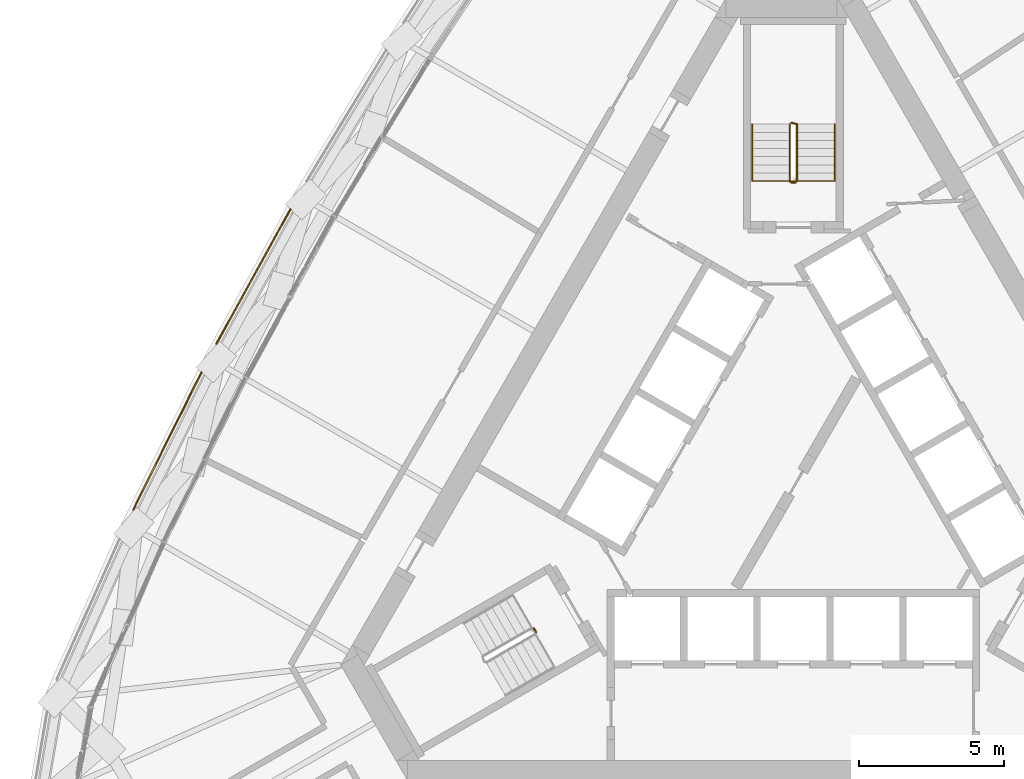
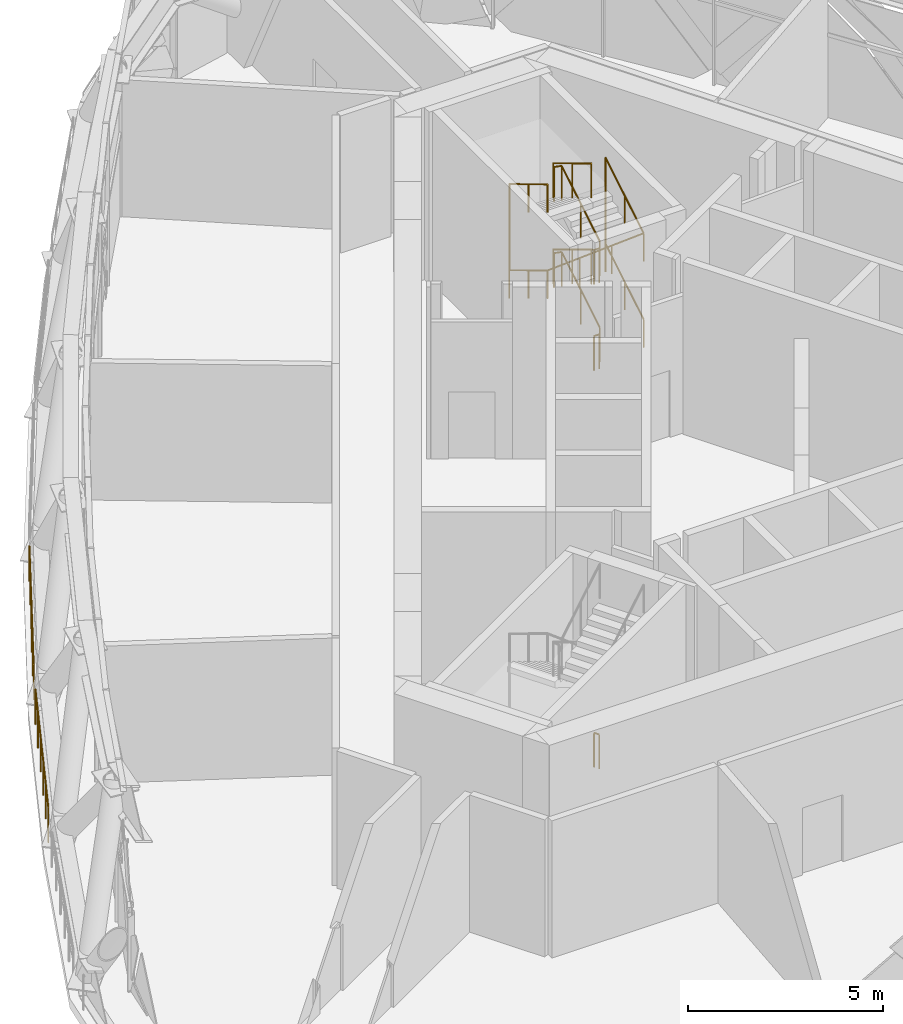
# One storey, part 31 of 33: 9 railings.
"""IFC4 building model written with IfcOpenShell, lengths in metres."""

from ifc_helpers import new_model, si_unit, direction, frame, origin, origin_2d, place, context, subcontext, project, spatial, circle, extrude, material, type_object, element, save


model = new_model("IFC4")

# Units and contexts
model_context = context("Model", 3, precision=1e-05, world=origin(), true_north=direction((0.0, 1.0)))
body_context = subcontext(model_context, "Body", "Model", "MODEL_VIEW")
ifc_project = project(units=[si_unit("LENGTHUNIT", "METRE"), si_unit("AREAUNIT", "SQUARE_METRE"), si_unit("VOLUMEUNIT", "CUBIC_METRE"), si_unit("PLANEANGLEUNIT", "RADIAN"), si_unit("MASSUNIT", "GRAM", prefix="KILO")], contexts=[model_context])

# Site, building, storey
site_placement = place(None, origin())
site = spatial("IfcSite", under=ifc_project, at=site_placement, CompositionType="ELEMENT")
building_placement = place(site_placement, origin())
building = spatial("IfcBuilding", under=site, at=building_placement, Name="Mestral Congress Tower", CompositionType="ELEMENT")
storey_placement = place(building_placement, frame((0.0, 0.0, 256.199951171875)))
storey = spatial("IfcBuildingStorey", under=building, at=storey_placement, Name="L60", CompositionType="ELEMENT", Elevation=256.199951171875)

# Railings
ifc_material_1 = material(Name="Stainless steel", Category="steel")
railing_type_1 = type_object("IfcRailingType", Name="Facade guard 1120 steel and glass", PredefinedType="GUARDRAIL", material=ifc_material_1)
railing_1_placement = place(storey_placement, frame((-17.355712890625, 9.37744140625, 0.0)))
element("IfcRailing", 1, at=railing_1_placement, inside=storey, type_object=railing_type_1, Name="Band guard F2-03", PredefinedType="GUARDRAIL", context=body_context, shape_type="SweptSolid", body=[
    extrude(circle(Radius=0.02392578125, at=origin_2d()), frame((0.0, 0.0, 1.09619140625), z_axis=(-0.481909905121, -0.876220773177, 0.0), x_axis=(0.876220773177, -0.481909905121, 0.0)), (0.0, 0.0, 1.0), 5.298095703125),
    extrude(circle(Radius=0.02099609375, at=origin_2d()), origin(), (0.0, 0.0, 1.0), 1.072021484375),
    extrude(circle(Radius=0.02099609375, at=origin_2d()), frame((-0.5107421875, -0.928466796875, 0.0)), (0.0, 0.0, 1.0), 1.072021484375),
    extrude(circle(Radius=0.02099609375, at=origin_2d()), frame((-1.021240234375, -1.85693359375, 0.0)), (0.0, 0.0, 1.0), 1.072021484375),
    extrude(circle(Radius=0.02099609375, at=origin_2d()), frame((-1.531982421875, -2.785400390625, 0.0)), (0.0, 0.0, 1.0), 1.072021484375),
    extrude(circle(Radius=0.02099609375, at=origin_2d()), frame((-2.04248046875, -3.7138671875, 0.0)), (0.0, 0.0, 1.0), 1.072021484375),
    extrude(circle(Radius=0.02099609375, at=origin_2d()), frame((-2.55322265625, -4.642333984375, 0.0)), (0.0, 0.0, 1.0), 1.072021484375),
])
railing_2_placement = place(storey_placement, frame((-20.42529296875, 3.748291015625, 0.0)))
element("IfcRailing", 2, at=railing_2_placement, inside=storey, type_object=railing_type_1, Name="Band guard F2-04", PredefinedType="GUARDRAIL", context=body_context, shape_type="SweptSolid", body=[
    extrude(circle(Radius=0.02392578125, at=origin_2d()), frame((0.0, 0.0, 1.09619140625), z_axis=(-0.44514794998, -0.895457035613, 0.0), x_axis=(0.895457035613, -0.44514794998, 0.0)), (0.0, 0.0, 1.0), 5.298095703125),
    extrude(circle(Radius=0.02099609375, at=origin_2d()), origin(), (0.0, 0.0, 1.0), 1.072021484375),
    extrude(circle(Radius=0.02099609375, at=origin_2d()), frame((-0.4716796875, -0.94873046875, 0.0)), (0.0, 0.0, 1.0), 1.072021484375),
    extrude(circle(Radius=0.02099609375, at=origin_2d()), frame((-0.943359375, -1.897705078125, 0.0)), (0.0, 0.0, 1.0), 1.072021484375),
    extrude(circle(Radius=0.02099609375, at=origin_2d()), frame((-1.4150390625, -2.846435546875, 0.0)), (0.0, 0.0, 1.0), 1.072021484375),
    extrude(circle(Radius=0.02099609375, at=origin_2d()), frame((-1.88671875, -3.79541015625, 0.0)), (0.0, 0.0, 1.0), 1.072021484375),
    extrude(circle(Radius=0.02099609375, at=origin_2d()), frame((-2.3583984375, -4.744140625, 0.0)), (0.0, 0.0, 1.0), 1.072021484375),
])
ifc_material_2 = material(Name="Steel balustrade", Category="steel")
railing_type_2 = type_object("IfcRailingType", Name="Stair guard 1100", PredefinedType="GUARDRAIL", material=ifc_material_2)
railing_3_placement = place(storey_placement, frame((0.125, 10.35009765625, 0.168701171875)))
element("IfcRailing", 3, at=railing_3_placement, inside=storey, type_object=railing_type_2, Name="L60 ST2 stair guard 1", PredefinedType="GUARDRAIL", context=body_context, shape_type="SweptSolid", body=[
    extrude(circle(Radius=0.02392578125, at=origin_2d()), frame((0.0, 0.0, 1.076171875), z_axis=(0.0, 0.856446297458, 0.516236127728), x_axis=(-1.0, 0.0, 0.0)), (0.0, 0.0, 1.0), 2.28857421875),
    extrude(circle(Radius=0.02392578125, at=origin_2d()), frame((0.0, 1.9599609375, 2.25732421875), z_axis=(-0.970072785993, 0.242814311512, 0.0), x_axis=(-0.242814311512, -0.970072785993, 0.0)), (0.0, 0.0, 1.0), 0.2060546875),
    extrude(circle(Radius=0.02099609375, at=origin_2d()), origin(), (0.0, 0.0, 1.0), 1.052001953125),
    extrude(circle(Radius=0.02099609375, at=origin_2d()), frame((0.0, 0.97998046875, 0.5908203125)), (0.0, 0.0, 1.0), 1.052001953125),
    extrude(circle(Radius=0.02099609375, at=origin_2d()), frame((0.0, 1.9599609375, 1.181396484375)), (0.0, 0.0, 1.0), 1.052001953125),
    extrude(circle(Radius=0.02099609375, at=origin_2d()), frame((-0.199951171875, 2.010009765625, 1.181396484375)), (0.0, 0.0, 1.0), 1.052001953125),
])
railing_4_placement = place(storey_placement, frame((-0.125, 12.31005859375, 1.518798828125)))
element("IfcRailing", 4, at=railing_4_placement, inside=storey, type_object=railing_type_2, Name="L60 ST2 stair guard 2", PredefinedType="GUARDRAIL", context=body_context, shape_type="SweptSolid", body=[
    extrude(circle(Radius=0.02392578125, at=origin_2d()), frame((0.0, 0.0, 1.076171875), z_axis=(0.0, -0.856493463811, 0.516157869696), x_axis=(1.0, 0.0, 0.0)), (0.0, 0.0, 1.0), 2.288330078125),
    extrude(circle(Radius=0.02392578125, at=origin_2d()), frame((0.0, -1.9599609375, 2.25732421875), z_axis=(0.707106781187, -0.707106781187, 0.0), x_axis=(0.707106781187, 0.707106781187, 0.0)), (0.0, 0.0, 1.0), 0.07080078125),
    extrude(circle(Radius=0.02392578125, at=origin_2d()), frame((0.050048828125, -2.010009765625, 2.25732421875), z_axis=(1.0, 0.0, 0.0), x_axis=(0.0, 1.0, 0.0)), (0.0, 0.0, 1.0), 0.14990234375),
    extrude(circle(Radius=0.02099609375, at=origin_2d()), origin(), (0.0, 0.0, 1.0), 1.052001953125),
    extrude(circle(Radius=0.02099609375, at=origin_2d()), frame((0.0, -0.97998046875, 0.590576171875)), (0.0, 0.0, 1.0), 1.052001953125),
    extrude(circle(Radius=0.02099609375, at=origin_2d()), frame((0.0, -1.9599609375, 1.18115234375)), (0.0, 0.0, 1.0), 1.052001953125),
    extrude(circle(Radius=0.02099609375, at=origin_2d()), frame((0.050048828125, -2.010009765625, 1.18115234375)), (0.0, 0.0, 1.0), 1.052001953125),
    extrude(circle(Radius=0.02099609375, at=origin_2d()), frame((0.199951171875, -2.010009765625, 1.18115234375)), (0.0, 0.0, 1.0), 1.052001953125),
])
railing_5_placement = place(storey_placement, frame((0.125, 10.35009765625, 2.868896484375)))
element("IfcRailing", 5, at=railing_5_placement, inside=storey, type_object=railing_type_2, Name="L60 ST2 stair guard 3", PredefinedType="GUARDRAIL", context=body_context, shape_type="SweptSolid", body=[
    extrude(circle(Radius=0.02392578125, at=origin_2d()), frame((0.0, 0.0, 1.076171875), z_axis=(0.0, 0.856493463811, 0.516157869696), x_axis=(-1.0, 0.0, 0.0)), (0.0, 0.0, 1.0), 2.288330078125),
    extrude(circle(Radius=0.02392578125, at=origin_2d()), frame((0.0, 1.9599609375, 2.25732421875), z_axis=(-0.970072785993, 0.242814311512, 0.0), x_axis=(-0.242814311512, -0.970072785993, 0.0)), (0.0, 0.0, 1.0), 0.2060546875),
    extrude(circle(Radius=0.02099609375, at=origin_2d()), origin(), (0.0, 0.0, 1.0), 1.052001953125),
    extrude(circle(Radius=0.02099609375, at=origin_2d()), frame((0.0, 0.97998046875, 0.590576171875)), (0.0, 0.0, 1.0), 1.052001953125),
    extrude(circle(Radius=0.02099609375, at=origin_2d()), frame((0.0, 1.9599609375, 1.18115234375)), (0.0, 0.0, 1.0), 1.052001953125),
    extrude(circle(Radius=0.02099609375, at=origin_2d()), frame((-0.199951171875, 2.010009765625, 1.18115234375)), (0.0, 0.0, 1.0), 1.052001953125),
])
railing_6_placement = place(storey_placement, frame((-0.125, 12.31005859375, 4.21875)))
element("IfcRailing", 6, at=railing_6_placement, inside=storey, type_object=railing_type_2, Name="L60 ST2 stair guard 4", PredefinedType="GUARDRAIL", context=body_context, shape_type="SweptSolid", body=[
    extrude(circle(Radius=0.02392578125, at=origin_2d()), frame((0.0, 0.0, 1.076171875), z_axis=(0.0, -0.856446297458, 0.516236127728), x_axis=(1.0, 0.0, 0.0)), (0.0, 0.0, 1.0), 2.28857421875),
    extrude(circle(Radius=0.02099609375, at=origin_2d()), origin(), (0.0, 0.0, 1.0), 1.052001953125),
    extrude(circle(Radius=0.02099609375, at=origin_2d()), frame((0.0, -0.97998046875, 0.5908203125)), (0.0, 0.0, 1.0), 1.052001953125),
    extrude(circle(Radius=0.02099609375, at=origin_2d()), frame((0.0, -1.9599609375, 1.181396484375)), (0.0, 0.0, 1.0), 1.052001953125),
])
railing_7_placement = place(storey_placement, frame((0.074951171875, 10.300048828125, 0.0)))
element("IfcRailing", 7, at=railing_7_placement, inside=storey, type_object=railing_type_2, Name="L60 ST2 stair guard 5", PredefinedType="GUARDRAIL", context=body_context, shape_type="SweptSolid", body=[
    extrude(circle(Radius=0.02392578125, at=origin_2d()), frame((0.0, 0.0, 1.076171875), z_axis=(-1.0, 0.0, 0.0), x_axis=(0.0, -1.0, 0.0)), (0.0, 0.0, 1.0), 0.14990234375),
    extrude(circle(Radius=0.02099609375, at=origin_2d()), origin(), (0.0, 0.0, 1.0), 1.052001953125),
    extrude(circle(Radius=0.02099609375, at=origin_2d()), frame((-0.14990234375, 0.0, 0.0)), (0.0, 0.0, 1.0), 1.052001953125),
])
railing_8_placement = place(storey_placement, frame((-8.95751953125, -5.0849609375, 0.0)))
element("IfcRailing", 8, at=railing_8_placement, inside=storey, type_object=railing_type_2, Name="L60 ST3 stair guard 5", PredefinedType="GUARDRAIL", context=body_context, shape_type="SweptSolid", body=[
    extrude(circle(Radius=0.02392578125, at=origin_2d()), frame((0.0, 0.0, 1.076171875), z_axis=(0.499816412211, -0.866131372301, 0.0), x_axis=(0.866131372301, 0.499816412211, 0.0)), (0.0, 0.0, 1.0), 0.14990234375),
    extrude(circle(Radius=0.02099609375, at=origin_2d()), origin(), (0.0, 0.0, 1.0), 1.052001953125),
    extrude(circle(Radius=0.02099609375, at=origin_2d()), frame((0.074951171875, -0.1298828125, 0.0)), (0.0, 0.0, 1.0), 1.052001953125),
])
ifc_material_3 = material(Name="Steel handrail", Category="steel")
railing_type_3 = type_object("IfcRailingType", Name="Stair handrail 900", PredefinedType="HANDRAIL", material=ifc_material_3)
railing_9_placement = place(storey_placement, frame((1.425048828125, 10.35009765625, 0.168701171875)))
element("IfcRailing", 9, at=railing_9_placement, inside=storey, type_object=railing_type_3, Name="L60 ST2 stair handrail 1", PredefinedType="HANDRAIL", context=body_context, shape_type="SweptSolid", body=[
    extrude(circle(Radius=0.02392578125, at=origin_2d()), frame((0.0, 0.0, 0.8759765625), z_axis=(0.0, 0.856446297458, 0.516236127728), x_axis=(-1.0, 0.0, 0.0)), (0.0, 0.0, 1.0), 2.28857421875),
    extrude(circle(Radius=0.02392578125, at=origin_2d()), frame((0.0, 1.9599609375, 2.05712890625), z_axis=(0.0, 0.0, 1.0), x_axis=(1.0, 0.0, 0.0)), (0.0, 0.0, 1.0), 2.699951171875),
    extrude(circle(Radius=0.02392578125, at=origin_2d()), frame((0.0, 1.9599609375, 4.75732421875), z_axis=(0.0, -0.856493463811, -0.516157869696), x_axis=(1.0, 0.0, 0.0)), (0.0, 0.0, 1.0), 2.288330078125),
    extrude(circle(Radius=0.02392578125, at=origin_2d()), frame((0.0, 0.0, 3.576171875), z_axis=(-0.998247733543, 0.0, -0.059173156725), x_axis=(0.0, -1.0, 0.0)), (0.0, 0.0, 1.0), 2.85498046875),
    extrude(circle(Radius=0.02392578125, at=origin_2d()), frame((-2.85009765625, 0.0, 3.4072265625), z_axis=(0.0, 0.856493463811, -0.516157869696), x_axis=(-1.0, 0.0, 0.0)), (0.0, 0.0, 1.0), 2.288330078125),
    extrude(circle(Radius=0.02392578125, at=origin_2d()), frame((-2.85009765625, 1.9599609375, 2.22607421875), z_axis=(0.0, 0.0, 1.0), x_axis=(1.0, 0.0, 0.0)), (0.0, 0.0, 1.0), 2.699951171875),
    extrude(circle(Radius=0.02392578125, at=origin_2d()), frame((-2.85009765625, 1.9599609375, 4.92578125), z_axis=(0.0, -0.856446297458, 0.516236127728), x_axis=(1.0, 0.0, 0.0)), (0.0, 0.0, 1.0), 2.28857421875),
    extrude(circle(Radius=0.02099609375, at=origin_2d()), origin(), (0.0, 0.0, 1.0), 0.851806640625),
    extrude(circle(Radius=0.02099609375, at=origin_2d()), frame((0.0, 0.97998046875, 0.5908203125)), (0.0, 0.0, 1.0), 0.851806640625),
    extrude(circle(Radius=0.02099609375, at=origin_2d()), frame((0.0, 1.9599609375, 1.181396484375)), (0.0, 0.0, 1.0), 0.851806640625),
    extrude(circle(Radius=0.02099609375, at=origin_2d()), frame((0.0, 1.9599609375, 2.081298828125)), (0.0, 0.0, 1.0), 0.851806640625),
    extrude(circle(Radius=0.02099609375, at=origin_2d()), frame((0.0, 1.9599609375, 2.9814453125)), (0.0, 0.0, 1.0), 0.851806640625),
    extrude(circle(Radius=0.02099609375, at=origin_2d()), frame((0.0, 1.9599609375, 3.88134765625)), (0.0, 0.0, 1.0), 0.851806640625),
    extrude(circle(Radius=0.02099609375, at=origin_2d()), frame((0.0, 0.97998046875, 3.290771484375)), (0.0, 0.0, 1.0), 0.851806640625),
    extrude(circle(Radius=0.02099609375, at=origin_2d()), frame((0.0, 0.0, 2.7001953125)), (0.0, 0.0, 1.0), 0.851806640625),
    extrude(circle(Radius=0.02099609375, at=origin_2d()), frame((-0.949951171875, 0.0, 2.643798828125)), (0.0, 0.0, 1.0), 0.851806640625),
    extrude(circle(Radius=0.02099609375, at=origin_2d()), frame((-1.900146484375, 0.0, 2.587646484375)), (0.0, 0.0, 1.0), 0.851806640625),
    extrude(circle(Radius=0.02099609375, at=origin_2d()), frame((-2.85009765625, 0.0, 2.53125)), (0.0, 0.0, 1.0), 0.851806640625),
    extrude(circle(Radius=0.02099609375, at=origin_2d()), frame((-2.85009765625, 0.97998046875, 1.940673828125)), (0.0, 0.0, 1.0), 0.851806640625),
    extrude(circle(Radius=0.02099609375, at=origin_2d()), frame((-2.85009765625, 1.9599609375, 1.35009765625)), (0.0, 0.0, 1.0), 0.851806640625),
    extrude(circle(Radius=0.02099609375, at=origin_2d()), frame((-2.85009765625, 1.9599609375, 2.25)), (0.0, 0.0, 1.0), 0.851806640625),
    extrude(circle(Radius=0.02099609375, at=origin_2d()), frame((-2.85009765625, 1.9599609375, 3.150146484375)), (0.0, 0.0, 1.0), 0.851806640625),
    extrude(circle(Radius=0.02099609375, at=origin_2d()), frame((-2.85009765625, 1.9599609375, 4.050048828125)), (0.0, 0.0, 1.0), 0.851806640625),
    extrude(circle(Radius=0.02099609375, at=origin_2d()), frame((-2.85009765625, 0.97998046875, 4.640625)), (0.0, 0.0, 1.0), 0.851806640625),
    extrude(circle(Radius=0.02099609375, at=origin_2d()), frame((-2.85009765625, 0.0, 5.2314453125)), (0.0, 0.0, 1.0), 0.851806640625),
])

save(model, "model.ifc")
